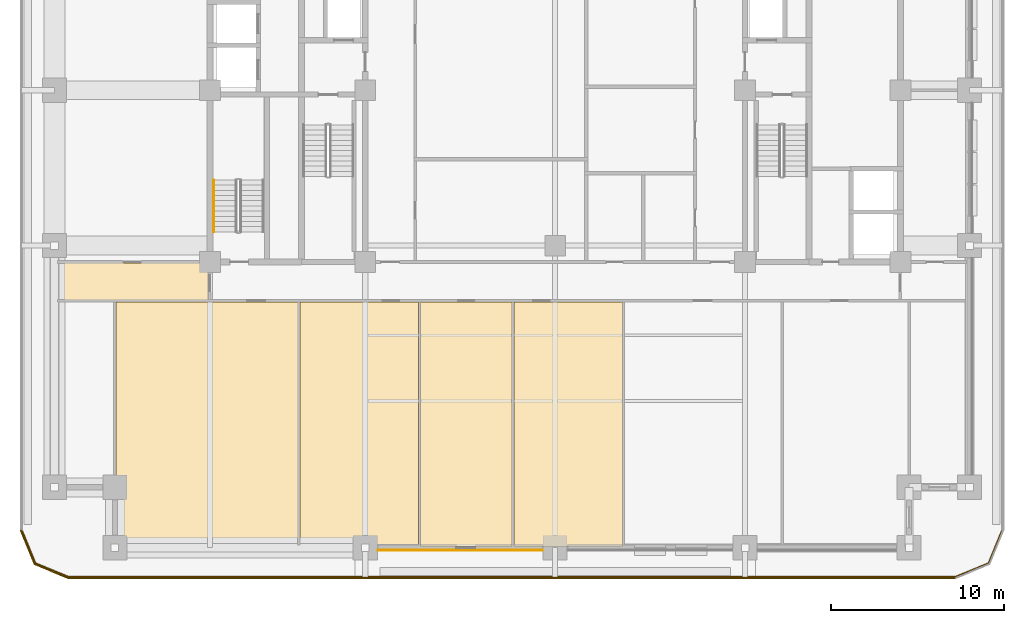
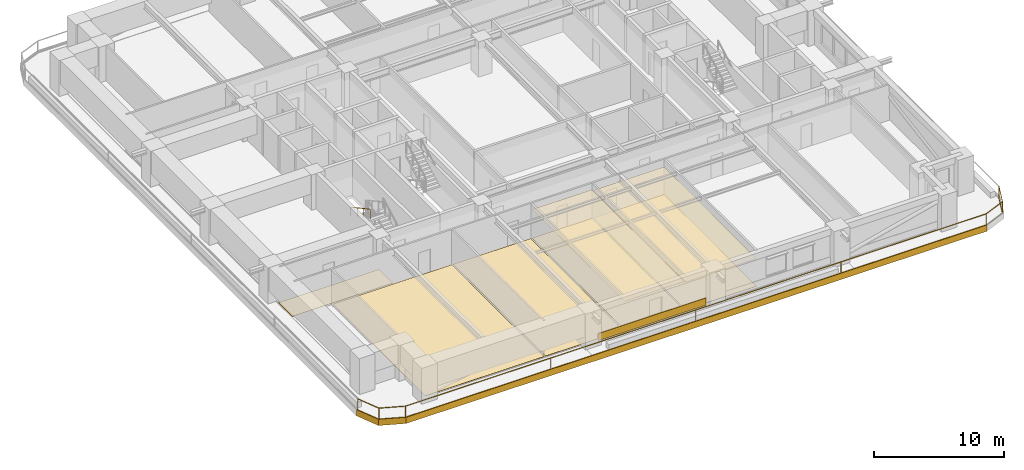
# One storey, part 7 of 14: 11 coverings, 2 railings.
"""IFC4 building model written with IfcOpenShell, lengths in metres."""

from ifc_helpers import new_model, si_unit, direction, frame, frame_2d, origin, origin_2d, place, context, subcontext, project, spatial, polyline, rectangle, outline, extrude, material, layer, layer_set, type_object, element, save


model = new_model("IFC4")

# Units and contexts
model_context = context("Model", 3, precision=1e-05, world=origin(), true_north=direction((0.0, 1.0)))
body_context = subcontext(model_context, "Body", "Model", "MODEL_VIEW")
ifc_project = project(units=[si_unit("LENGTHUNIT", "METRE"), si_unit("AREAUNIT", "SQUARE_METRE"), si_unit("VOLUMEUNIT", "CUBIC_METRE"), si_unit("PLANEANGLEUNIT", "RADIAN"), si_unit("MASSUNIT", "GRAM", prefix="KILO")], contexts=[model_context])

# Site, building, storey
site_placement = place(None, origin())
site = spatial("IfcSite", under=ifc_project, at=site_placement, CompositionType="ELEMENT")
building_placement = place(site_placement, origin())
building = spatial("IfcBuilding", under=site, at=building_placement, Name="Zulmaris Gate Convention Tower", CompositionType="ELEMENT")
storey_placement = place(building_placement, frame((0.0, 0.0, 60.760009765625)))
storey = spatial("IfcBuildingStorey", under=building, at=storey_placement, Name="L14", CompositionType="ELEMENT", Elevation=60.760009765625)

# Coverings
ifc_material_1 = material(Name="Precast concrete C40/50", Category="concrete")
ifc_layer_1 = layer(ifc_material_1, 0.0400390625, Name="Precast concrete C40/50")
ifc_layer_set_1 = layer_set([ifc_layer_1], Name="Precast concrete C40/50")
covering_type_1 = type_object("IfcCoveringType", Name="CLAD-SPANDREL-PRECAST", PredefinedType="CLADDING", material=ifc_layer_set_1)
covering_1_placement = place(storey_placement, frame((-10.27001953125, -26.64990234375, 0.0), z_axis=(0.0, 0.0, 1.0), x_axis=(1.0, 0.0, 0.0)))
element("IfcCovering", 1, at=covering_1_placement, inside=storey, type_object=covering_type_1, Name="CLD-L14-S-1_0", PredefinedType="CLADDING", context=body_context, shape_type="SweptSolid", body=[
    extrude(rectangle(XDim=9.5400390625, YDim=0.0400390625, at=frame_2d((4.77001953125, 0.0))), origin(), (0.0, 0.0, 1.0), 0.679931640625),
])
ifc_material_2 = material(Name="White Glazed Architectural Precast Concrete C40/50", Category="concrete")
ifc_layer_2 = layer(ifc_material_2, 0.080078125, Name="White Glazed Architectural Precast Concrete C40/50")
ifc_layer_set_2 = layer_set([ifc_layer_2], Name="White Glazed Architectural Precast Concrete C40/50")
covering_type_2 = type_object("IfcCoveringType", Name="CLAD-TRAY-FASCIA", PredefinedType="CLADDING", material=ifc_layer_set_2)
covering_2_placement = place(storey_placement, frame((-30.962890625, -25.484619140625, -0.465087890625), z_axis=(0.0, 0.0, 1.0), x_axis=(0.382656984709, -0.923890487046, 0.0)))
element("IfcCovering", 2, at=covering_2_placement, inside=storey, type_object=covering_type_2, Name="FSC-L14-TR-00", PredefinedType="CLADDING", context=body_context, shape_type="SweptSolid", body=[
    extrude(rectangle(XDim=2.14306640625, YDim=0.080078125, at=frame_2d((1.071533203125, 0.0))), origin(), (0.0, 0.0, 1.0), 0.5849609375),
])
covering_3_placement = place(storey_placement, frame((-30.16455078125, -27.44287109375, -0.465087890625), z_axis=(0.0, 0.0, 1.0), x_axis=(0.923873803533, -0.382697263049, 0.0)))
element("IfcCovering", 3, at=covering_3_placement, inside=storey, type_object=covering_type_2, Name="FSC-L14-TR-01", PredefinedType="CLADDING", context=body_context, shape_type="SweptSolid", body=[
    extrude(rectangle(XDim=2.142822265625, YDim=0.080078125, at=frame_2d((1.0712890625, 0.0))), origin(), (0.0, 0.0, 1.0), 0.5849609375),
])
covering_4_placement = place(storey_placement, frame((-28.199951171875, -28.260009765625, -0.465087890625), z_axis=(0.0, 0.0, 1.0), x_axis=(1.0, 0.0, 0.0)))
element("IfcCovering", 4, at=covering_4_placement, inside=storey, type_object=covering_type_2, Name="FSC-L14-TR-02", PredefinedType="CLADDING", context=body_context, shape_type="SweptSolid", body=[
    extrude(rectangle(XDim=51.39990234375, YDim=0.080078125, at=frame_2d((25.699951171875, 0.0))), origin(), (0.0, 0.0, 1.0), 0.5849609375),
])
ifc_material_3 = material(Name="Mineral Fibre Acoustic Ceiling Tile")
ifc_layer_3 = layer(ifc_material_3, 0.02001953125, Name="Mineral Fibre Acoustic Ceiling Tile")
ifc_layer_set_3 = layer_set([ifc_layer_3], Name="Mineral Fibre Acoustic Ceiling Tile")
covering_type_3 = type_object("IfcCoveringType", Name="CLG-ACOUSTIC-600", PredefinedType="CEILING", material=ifc_layer_set_3)
covering_5_placement = place(storey_placement, frame((0.0, 0.0, 2.6796875)))
element("IfcCovering", 5, at=covering_5_placement, inside=storey, type_object=covering_type_3, Name="CLG-L14-R37", PredefinedType="CEILING", context=body_context, shape_type="SweptSolid", body=[
    extrude(outline(polyline([(-7.7900390625, -26.43994140625), (-2.510009765625, -26.43994140625), (-2.510009765625, -12.260009765625), (-7.7900390625, -12.260009765625), (-7.7900390625, -26.43994140625)])), origin(), (0.0, 0.0, 1.0), 0.02001953125),
])
covering_6_placement = place(storey_placement, frame((0.0, 0.0, 2.577880859375)))
element("IfcCovering", 6, at=covering_6_placement, inside=storey, type_object=covering_type_3, Name="CLG-L14-R38", PredefinedType="CEILING", context=body_context, shape_type="SweptSolid", body=[
    extrude(outline(polyline([(-2.389892578125, -26.43994140625), (3.889892578125, -26.43994140625), (3.889892578125, -12.260009765625), (-2.389892578125, -12.260009765625), (-2.389892578125, -26.43994140625)])), origin(), (0.0, 0.0, 1.0), 0.02001953125),
])
ifc_material_4 = material(Name="Woven Acoustic Wool Carpet Tile")
ifc_layer_4 = layer(ifc_material_4, 0.02001953125, Name="Woven Acoustic Wool Carpet Tile")
ifc_layer_set_4 = layer_set([ifc_layer_4], Name="Woven Acoustic Wool Carpet Tile")
covering_type_4 = type_object("IfcCoveringType", Name="FLR-CARPET-12", PredefinedType="FLOORING", material=ifc_layer_set_4)
covering_7_placement = place(storey_placement, origin())
element("IfcCovering", 7, at=covering_7_placement, inside=storey, type_object=covering_type_4, Name="FLR-L14-R35", PredefinedType="FLOORING", context=body_context, shape_type="SweptSolid", body=[
    extrude(outline(polyline([(-25.43994140625, -26.43994140625), (-14.909912109375, -26.43994140625), (-14.909912109375, -12.260009765625), (-25.43994140625, -12.260009765625), (-25.43994140625, -26.43994140625)])), origin(), (0.0, 0.0, 1.0), 0.02001953125),
])
covering_8_placement = place(storey_placement, origin())
element("IfcCovering", 8, at=covering_8_placement, inside=storey, type_object=covering_type_4, Name="FLR-L14-R36", PredefinedType="FLOORING", context=body_context, shape_type="SweptSolid", body=[
    extrude(outline(polyline([(-14.7900390625, -26.43994140625), (-7.909912109375, -26.43994140625), (-7.909912109375, -12.260009765625), (-14.7900390625, -12.260009765625), (-14.7900390625, -26.43994140625)])), origin(), (0.0, 0.0, 1.0), 0.02001953125),
])
covering_9_placement = place(storey_placement, origin())
element("IfcCovering", 9, at=covering_9_placement, inside=storey, type_object=covering_type_4, Name="FLR-L14-R37", PredefinedType="FLOORING", context=body_context, shape_type="SweptSolid", body=[
    extrude(outline(polyline([(-7.7900390625, -26.43994140625), (-2.510009765625, -26.43994140625), (-2.510009765625, -12.260009765625), (-7.7900390625, -12.260009765625), (-7.7900390625, -26.43994140625)])), origin(), (0.0, 0.0, 1.0), 0.02001953125),
])
covering_10_placement = place(storey_placement, origin())
element("IfcCovering", 10, at=covering_10_placement, inside=storey, type_object=covering_type_4, Name="FLR-L14-R38", PredefinedType="FLOORING", context=body_context, shape_type="SweptSolid", body=[
    extrude(outline(polyline([(-2.389892578125, -26.43994140625), (3.889892578125, -26.43994140625), (3.889892578125, -12.260009765625), (-2.389892578125, -12.260009765625), (-2.389892578125, -26.43994140625)])), origin(), (0.0, 0.0, 1.0), 0.02001953125),
])
covering_11_placement = place(storey_placement, origin())
element("IfcCovering", 11, at=covering_11_placement, inside=storey, type_object=covering_type_4, Name="FLR-L14-R48", PredefinedType="FLOORING", context=body_context, shape_type="SweptSolid", body=[
    extrude(outline(polyline([(-28.93994140625, -12.139892578125), (-20.06005859375, -12.139892578125), (-20.06005859375, -10.010009765625), (-28.93994140625, -10.010009765625), (-28.93994140625, -12.139892578125)])), origin(), (0.0, 0.0, 1.0), 0.02001953125),
])

# Railings
ifc_material_5 = material(Name="Laminated Glass and Stainless Steel", Category="steel")
railing_type_1 = type_object("IfcRailingType", Name="RL-BALC-1150", PredefinedType="BALUSTRADE", material=ifc_material_5)
railing_1_placement = place(storey_placement, frame((-30.8798828125, -25.5, -0.0400390625)))
element("IfcRailing", 12, at=railing_1_placement, inside=storey, type_object=railing_type_1, Name="RL-L14-BALC-S", PredefinedType="BALUSTRADE", context=body_context, shape_type="SweptSolid", body=[
    extrude(rectangle(XDim=0.048095703125, YDim=0.048095703125, at=origin_2d()), frame((0.0, 0.0, 1.1259765625), z_axis=(0.382670664694, -0.92388482095, 0.0), x_axis=(0.92388482095, 0.382670664694, 0.0)), (0.0, 0.0, 1.0), 2.051025390625),
    extrude(rectangle(XDim=0.048095703125, YDim=0.048095703125, at=origin_2d()), frame((0.0, 0.0, 0.02392578125), z_axis=(0.382670664694, -0.92388482095, 0.0), x_axis=(0.92388482095, 0.382670664694, 0.0)), (0.0, 0.0, 1.0), 2.051025390625),
    extrude(rectangle(XDim=0.048095703125, YDim=0.048095703125, at=origin_2d()), frame((0.784912109375, -1.89501953125, 1.1259765625), z_axis=(0.92388482095, -0.382670664694, 0.0), x_axis=(0.382670664694, 0.92388482095, 0.0)), (0.0, 0.0, 1.0), 2.051025390625),
    extrude(rectangle(XDim=0.048095703125, YDim=0.048095703125, at=origin_2d()), frame((0.784912109375, -1.89501953125, 0.02392578125), z_axis=(0.92388482095, -0.382670664694, 0.0), x_axis=(0.382670664694, 0.92388482095, 0.0)), (0.0, 0.0, 1.0), 2.051025390625),
    extrude(rectangle(XDim=0.048095703125, YDim=0.048095703125, at=origin_2d()), frame((2.679931640625, -2.679931640625, 1.1259765625), z_axis=(1.0, 0.0, 0.0), x_axis=(0.0, 1.0, 0.0)), (0.0, 0.0, 1.0), 51.39990234375),
    extrude(rectangle(XDim=0.048095703125, YDim=0.048095703125, at=origin_2d()), frame((2.679931640625, -2.679931640625, 0.02392578125), z_axis=(1.0, 0.0, 0.0), x_axis=(0.0, 1.0, 0.0)), (0.0, 0.0, 1.0), 51.39990234375),
    extrude(rectangle(XDim=0.048095703125, YDim=0.048095703125, at=origin_2d()), frame((54.079833984375, -2.679931640625, 1.1259765625), z_axis=(0.92388482095, 0.382670664694, 0.0), x_axis=(-0.382670664694, 0.92388482095, 0.0)), (0.0, 0.0, 1.0), 2.051025390625),
    extrude(rectangle(XDim=0.048095703125, YDim=0.048095703125, at=origin_2d()), frame((54.079833984375, -2.679931640625, 0.02392578125), z_axis=(0.92388482095, 0.382670664694, 0.0), x_axis=(-0.382670664694, 0.92388482095, 0.0)), (0.0, 0.0, 1.0), 2.051025390625),
    extrude(rectangle(XDim=0.048095703125, YDim=0.048095703125, at=origin_2d()), frame((55.974853515625, -1.89501953125, 1.1259765625), z_axis=(0.382670664694, 0.92388482095, 0.0), x_axis=(-0.92388482095, 0.382670664694, 0.0)), (0.0, 0.0, 1.0), 2.051025390625),
    extrude(rectangle(XDim=0.048095703125, YDim=0.048095703125, at=origin_2d()), frame((55.974853515625, -1.89501953125, 0.02392578125), z_axis=(0.382670664694, 0.92388482095, 0.0), x_axis=(-0.92388482095, 0.382670664694, 0.0)), (0.0, 0.0, 1.0), 2.051025390625),
    extrude(rectangle(XDim=0.0419921875, YDim=0.0419921875, at=origin_2d()), origin(), (0.0, 0.0, 1.0), 1.101806640625),
    extrude(rectangle(XDim=0.0419921875, YDim=0.0419921875, at=origin_2d()), frame((0.784912109375, -1.89501953125, 0.0)), (0.0, 0.0, 1.0), 1.101806640625),
    extrude(rectangle(XDim=0.0419921875, YDim=0.0419921875, at=origin_2d()), frame((2.679931640625, -2.679931640625, 0.0)), (0.0, 0.0, 1.0), 1.101806640625),
    extrude(rectangle(XDim=0.0419921875, YDim=0.0419921875, at=origin_2d()), frame((15.52978515625, -2.679931640625, 0.0)), (0.0, 0.0, 1.0), 1.101806640625),
    extrude(rectangle(XDim=0.0419921875, YDim=0.0419921875, at=origin_2d()), frame((28.3798828125, -2.679931640625, 0.0)), (0.0, 0.0, 1.0), 1.101806640625),
    extrude(rectangle(XDim=0.0419921875, YDim=0.0419921875, at=origin_2d()), frame((41.22998046875, -2.679931640625, 0.0)), (0.0, 0.0, 1.0), 1.101806640625),
    extrude(rectangle(XDim=0.0419921875, YDim=0.0419921875, at=origin_2d()), frame((54.079833984375, -2.679931640625, 0.0)), (0.0, 0.0, 1.0), 1.101806640625),
    extrude(rectangle(XDim=0.0419921875, YDim=0.0419921875, at=origin_2d()), frame((55.974853515625, -1.89501953125, 0.0)), (0.0, 0.0, 1.0), 1.101806640625),
    extrude(rectangle(XDim=0.0419921875, YDim=0.0419921875, at=origin_2d()), frame((56.759765625, 0.0, 0.0)), (0.0, 0.0, 1.0), 1.101806640625),
])
ifc_material_6 = material(Name="Brushed Stainless Steel", Category="steel")
railing_type_2 = type_object("IfcRailingType", Name="RL-STH-900", PredefinedType="HANDRAIL", material=ifc_material_6)
railing_2_placement = place(storey_placement, frame((-19.77001953125, -5.199951171875, 1.947265625)))
element("IfcRailing", 13, at=railing_2_placement, inside=storey, type_object=railing_type_2, Name="L14 ST-3 stair handrail 2", PredefinedType="HANDRAIL", context=body_context, shape_type="SweptSolid", body=[
    extrude(rectangle(XDim=0.048095703125, YDim=0.048095703125, at=origin_2d()), frame((0.0, 0.0, 0.8759765625), z_axis=(0.0, -0.879591569277, 0.475729619907), x_axis=(1.0, 0.0, 0.0)), (0.0, 0.0, 1.0), 3.41064453125),
    extrude(rectangle(XDim=0.0419921875, YDim=0.0419921875, at=origin_2d()), origin(), (0.0, 0.0, 1.0), 0.851806640625),
    extrude(rectangle(XDim=0.0419921875, YDim=0.0419921875, at=origin_2d()), frame((0.0, -1.0, 0.540771484375)), (0.0, 0.0, 1.0), 0.851806640625),
    extrude(rectangle(XDim=0.0419921875, YDim=0.0419921875, at=origin_2d()), frame((0.0, -2.0, 1.081787109375)), (0.0, 0.0, 1.0), 0.851806640625),
    extrude(rectangle(XDim=0.0419921875, YDim=0.0419921875, at=origin_2d()), frame((0.0, -3.0, 1.62255859375)), (0.0, 0.0, 1.0), 0.851806640625),
])

save(model, "model.ifc")
